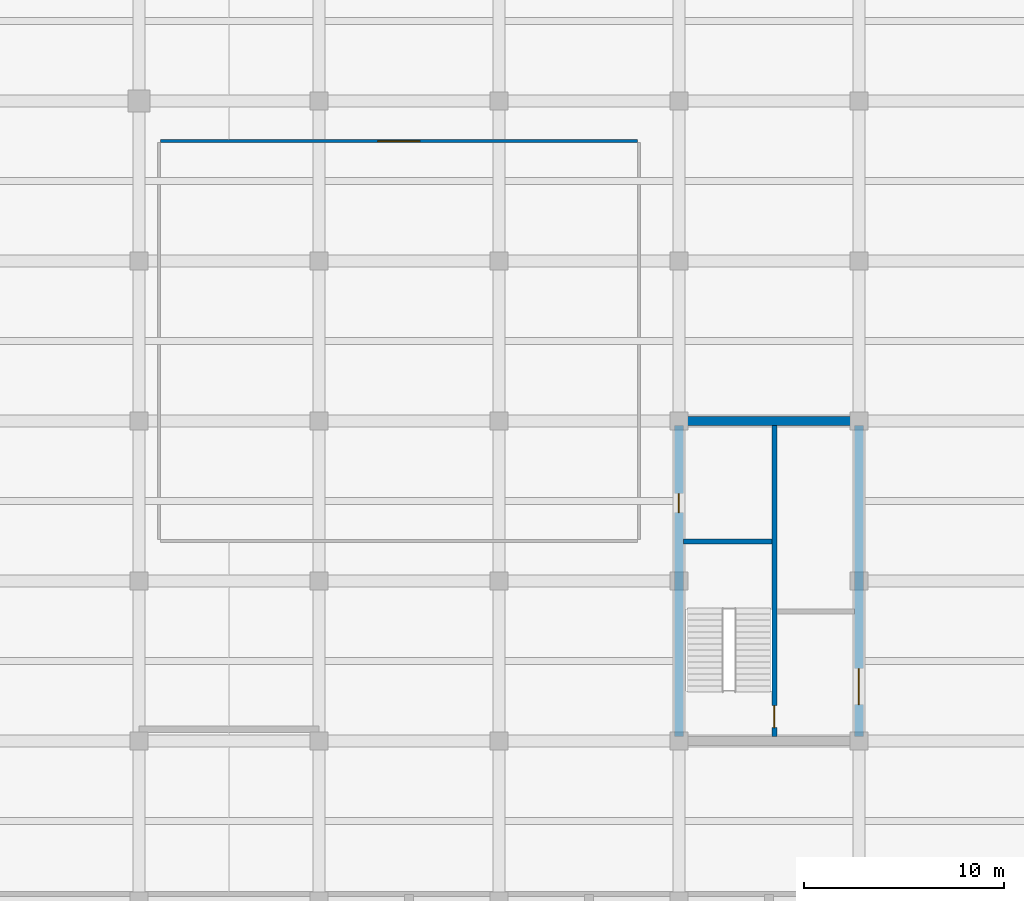
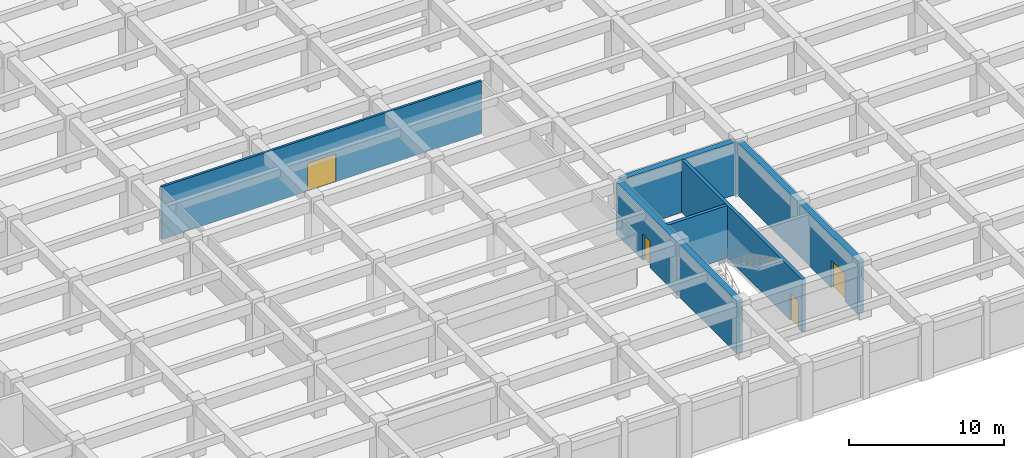
# One storey, part 12 of 26: 6 walls, 4 doors, 4 openings.
"""IFC4 building model written with IfcOpenShell, lengths in metres."""

from ifc_helpers import new_model, si_unit, direction, frame, frame_2d, origin, place, context, subcontext, project, spatial, rectangle, extrude, material, layer, layer_set, type_object, element, fill, save


model = new_model("IFC4")

# Units and contexts
model_context = context("Model", 3, precision=1e-05, world=origin(), true_north=direction((0.0, 1.0)))
body_context = subcontext(model_context, "Body", "Model", "MODEL_VIEW")
ifc_project = project(units=[si_unit("LENGTHUNIT", "METRE"), si_unit("AREAUNIT", "SQUARE_METRE"), si_unit("VOLUMEUNIT", "CUBIC_METRE"), si_unit("PLANEANGLEUNIT", "RADIAN"), si_unit("MASSUNIT", "GRAM", prefix="KILO")], contexts=[model_context])

# Site, building, storey
site_placement = place(None, origin())
site = spatial("IfcSite", under=ifc_project, at=site_placement, CompositionType="ELEMENT")
building_placement = place(site_placement, origin())
building = spatial("IfcBuilding", under=site, at=building_placement, Name="Zaverband Oceanarium and Marine Research Institute", CompositionType="ELEMENT")
storey_placement = place(building_placement, frame((0.0, 0.0, -4.5)))
storey = spatial("IfcBuildingStorey", under=building, at=storey_placement, Name="B1", CompositionType="ELEMENT", Elevation=-4.5)

# Wall
ifc_material_1 = material(Name="Concrete C50/60", Category="concrete")
ifc_layer_1 = layer(ifc_material_1, 0.449951171875, Name="Concrete C50/60")
ifc_layer_set_1 = layer_set([ifc_layer_1], Name="Concrete C50/60")
wall_type_1 = type_object("IfcWallType", Name="CW-02", PredefinedType="SHEAR", material=ifc_layer_set_1)
wall_1_placement = place(storey_placement, frame((81.22509765625, 24.0, 0.0), z_axis=(0.0, 0.0, 1.0), x_axis=(1.0, 0.0, 0.0)))
element("IfcWall", 1, at=wall_1_placement, inside=storey, type_object=wall_type_1, Name="Structural shear wall CW-02", PredefinedType="SHEAR", context=body_context, shape_type="SweptSolid", body=[
    extrude(rectangle(XDim=8.5498046875, YDim=0.449951171875, at=frame_2d((4.27490234375, 0.0))), origin(), (0.0, 0.0, 1.0), 4.14990234375),
])

# Wall, opening, door
wall_2_placement = place(storey_placement, frame((81.0, 8.22509765625, 0.0), z_axis=(0.0, 0.0, 1.0), x_axis=(0.0, 1.0, 0.0)))
wall_2 = element("IfcWall", 2, at=wall_2_placement, inside=storey, type_object=wall_type_1, Name="Structural shear wall CW-02", PredefinedType="SHEAR", context=body_context, shape_type="SweptSolid", body=[
    extrude(rectangle(XDim=15.5498046875, YDim=0.449951171875, at=frame_2d((7.77490234375, 0.0))), origin(), (0.0, 0.0, 1.0), 4.14990234375),
])
opening_1_placement = place(wall_2_placement, frame((11.199951171875, 0.0, 0.0)))
opening_1 = element("IfcOpeningElement", 3, at=opening_1_placement, cuts=wall_2, Name="Opening FD-03", PredefinedType="OPENING", context=body_context, shape_type="SweptSolid", body=[
    extrude(rectangle(XDim=0.949951171875, YDim=2.10009765625, at=frame_2d((0.47509765625, 1.050048828125))), frame((0.0, 0.23681640625, 0.0), z_axis=(0.0, -1.0, 0.0), x_axis=(1.0, 0.0, 0.0)), (0.0, 0.0, 1.0), 0.473876953125),
])
ifc_material_2 = material(Name="Steel S355", Category="steel")
door_type_1 = type_object("IfcDoorType", Name="FD-03", OperationType="NOTDEFINED", PredefinedType="DOOR", material=ifc_material_2)
door_1_placement = place(opening_1_placement, origin())
door_1 = element("IfcDoor", 4, at=door_1_placement, inside=storey, type_object=door_type_1, Name="Service riser access fire door FD-03", OperationType="SINGLE_SWING_RIGHT", OverallHeight=2.10009765625, OverallWidth=0.949951171875, PredefinedType="DOOR", context=body_context, shape_type="SweptSolid", body=[
    extrude(rectangle(XDim=0.949951171875, YDim=2.10009765625, at=frame_2d((0.47509765625, 1.050048828125))), frame((0.0, 0.02490234375, 0.0), z_axis=(0.0, -1.0, 0.0), x_axis=(1.0, 0.0, 0.0)), (0.0, 0.0, 1.0), 0.050048828125),
])
fill(opening_1, door_1)

wall_3_placement = place(storey_placement, frame((90.0, 8.22509765625, 0.0), z_axis=(0.0, 0.0, 1.0), x_axis=(0.0, 1.0, 0.0)))
wall_3 = element("IfcWall", 5, at=wall_3_placement, inside=storey, type_object=wall_type_1, Name="Structural shear wall CW-02", PredefinedType="SHEAR", context=body_context, shape_type="SweptSolid", body=[
    extrude(rectangle(XDim=15.5498046875, YDim=0.449951171875, at=frame_2d((7.77490234375, 0.0))), origin(), (0.0, 0.0, 1.0), 4.14990234375),
])
opening_2_placement = place(wall_3_placement, frame((1.60009765625, 0.0, 0.0)))
opening_2 = element("IfcOpeningElement", 6, at=opening_2_placement, cuts=wall_3, Name="Opening FD-02", PredefinedType="OPENING", context=body_context, shape_type="SweptSolid", body=[
    extrude(rectangle(XDim=1.800048828125, YDim=2.179931640625, at=frame_2d((0.89990234375, 1.08984375))), frame((0.0, 0.23681640625, 0.0), z_axis=(0.0, -1.0, 0.0), x_axis=(1.0, 0.0, 0.0)), (0.0, 0.0, 1.0), 0.473876953125),
])
door_type_2 = type_object("IfcDoorType", Name="FD-02", OperationType="DOUBLE_DOOR_SINGLE_SWING", PredefinedType="DOOR", material=ifc_material_2)
door_2_placement = place(opening_2_placement, origin())
door_2 = element("IfcDoor", 7, at=door_2_placement, inside=storey, type_object=door_type_2, Name="Protected lobby double fire door FD-02", OperationType="DOUBLE_DOOR_SINGLE_SWING", OverallHeight=2.179931640625, OverallWidth=1.800048828125, PredefinedType="DOOR", context=body_context, shape_type="SweptSolid", body=[
    extrude(rectangle(XDim=1.800048828125, YDim=2.179931640625, at=frame_2d((0.89990234375, 1.08984375))), frame((0.0, 0.02490234375, 0.0), z_axis=(0.0, -1.0, 0.0), x_axis=(1.0, 0.0, 0.0)), (0.0, 0.0, 1.0), 0.050048828125),
])
fill(opening_2, door_2)

ifc_material_3 = material(Name="Corridor rated drywall partition")
ifc_layer_2 = layer(ifc_material_3, 0.1650390625, Name="Corridor rated drywall partition")
ifc_layer_set_2 = layer_set([ifc_layer_2], Name="Corridor rated drywall partition")
wall_type_2 = type_object("IfcWallType", Name="PT-165-CR", PredefinedType="PARTITIONING", material=ifc_layer_set_2)
wall_4_placement = place(storey_placement, frame((55.08251953125, 38.0, 0.0), z_axis=(0.0, 0.0, 1.0), x_axis=(1.0, 0.0, 0.0)))
wall_4 = element("IfcWall", 8, at=wall_4_placement, inside=storey, type_object=wall_type_2, Name="Internal partition PT-165-CR", PredefinedType="PARTITIONING", context=body_context, shape_type="SweptSolid", body=[
    extrude(rectangle(XDim=23.8349609375, YDim=0.1650390625, at=frame_2d((11.91748046875, 0.0))), origin(), (0.0, 0.0, 1.0), 4.14990234375),
])
opening_3_placement = place(wall_4_placement, frame((10.867431640625, 0.0, 0.0)))
opening_3 = element("IfcOpeningElement", 9, at=opening_3_placement, cuts=wall_4, Name="Opening ID-2100x2200", PredefinedType="OPENING", context=body_context, shape_type="SweptSolid", body=[
    extrude(rectangle(XDim=2.10009765625, YDim=2.199951171875, at=frame_2d((1.050048828125, 1.10009765625))), frame((0.0, 0.094482421875, 0.0), z_axis=(0.0, -1.0, 0.0), x_axis=(1.0, 0.0, 0.0)), (0.0, 0.0, 1.0), 0.18896484375),
])
ifc_material_4 = material(Name="Hardwood-veneered acoustic timber", Category="wood")
door_type_3 = type_object("IfcDoorType", Name="ID-2100x2200", OperationType="DOUBLE_DOOR_SINGLE_SWING", PredefinedType="DOOR", material=ifc_material_4)
door_3_placement = place(opening_3_placement, origin())
door_3 = element("IfcDoor", 10, at=door_3_placement, inside=storey, type_object=door_type_3, Name="Concourse double public door ID-2100x2200", OperationType="DOUBLE_DOOR_SINGLE_SWING", OverallHeight=2.199951171875, OverallWidth=2.10009765625, PredefinedType="DOOR", context=body_context, shape_type="SweptSolid", body=[
    extrude(rectangle(XDim=2.10009765625, YDim=2.199951171875, at=frame_2d((1.050048828125, 1.10009765625))), frame((0.0, 0.02490234375, 0.0), z_axis=(0.0, -1.0, 0.0), x_axis=(1.0, 0.0, 0.0)), (0.0, 0.0, 1.0), 0.050048828125),
])
fill(opening_3, door_3)

ifc_layer_3 = layer(ifc_material_1, 0.25, Name="Concrete C50/60")
ifc_layer_set_3 = layer_set([ifc_layer_3], Name="Concrete C50/60")
wall_type_3 = type_object("IfcWallType", Name="PW-CORE-250", PredefinedType="SOLIDWALL", material=ifc_layer_set_3)
wall_5_placement = place(storey_placement, frame((85.77490234375, 8.22509765625, 0.0), z_axis=(0.0, 0.0, 1.0), x_axis=(0.0, 1.0, 0.0)))
wall_5 = element("IfcWall", 11, at=wall_5_placement, inside=storey, type_object=wall_type_3, Name="Structural concrete wall PW-CORE-250", PredefinedType="SOLIDWALL", context=body_context, shape_type="SweptSolid", body=[
    extrude(rectangle(XDim=15.5498046875, YDim=0.25, at=frame_2d((7.77490234375, 0.0))), origin(), (0.0, 0.0, 1.0), 4.14990234375),
])
opening_4_placement = place(wall_5_placement, frame((0.449951171875, 0.0, 0.0)))
opening_4 = element("IfcOpeningElement", 12, at=opening_4_placement, cuts=wall_5, Name="Opening FD-01", PredefinedType="OPENING", context=body_context, shape_type="SweptSolid", body=[
    extrude(rectangle(XDim=1.10009765625, YDim=2.14990234375, at=frame_2d((0.550048828125, 1.074951171875))), frame((0.0, 0.136962890625, 0.0), z_axis=(0.0, -1.0, 0.0), x_axis=(1.0, 0.0, 0.0)), (0.0, 0.0, 1.0), 0.27392578125),
])
door_type_4 = type_object("IfcDoorType", Name="FD-01", OperationType="NOTDEFINED", PredefinedType="DOOR", material=ifc_material_2)
door_4_placement = place(opening_4_placement, origin())
door_4 = element("IfcDoor", 13, at=door_4_placement, inside=storey, type_object=door_type_4, Name="Core stair / lobby fire door FD-01", OperationType="SINGLE_SWING_RIGHT", OverallHeight=2.14990234375, OverallWidth=1.10009765625, PredefinedType="DOOR", context=body_context, shape_type="SweptSolid", body=[
    extrude(rectangle(XDim=1.10009765625, YDim=2.14990234375, at=frame_2d((0.550048828125, 1.074951171875))), frame((0.0, 0.02490234375, 0.0), z_axis=(0.0, -1.0, 0.0), x_axis=(1.0, 0.0, 0.0)), (0.0, 0.0, 1.0), 0.050048828125),
])
fill(opening_4, door_4)

# Wall
wall_6_placement = place(storey_placement, frame((81.22509765625, 17.97509765625, 0.0), z_axis=(0.0, 0.0, 1.0), x_axis=(1.0, 0.0, 0.0)))
element("IfcWall", 14, at=wall_6_placement, inside=storey, type_object=wall_type_3, Name="Structural concrete wall PW-CORE-250", PredefinedType="SOLIDWALL", context=body_context, shape_type="SweptSolid", body=[
    extrude(rectangle(XDim=4.419921875, YDim=0.25, at=frame_2d((2.2099609375, 0.0))), origin(), (0.0, 0.0, 1.0), 4.14990234375),
])

save(model, "model.ifc")
